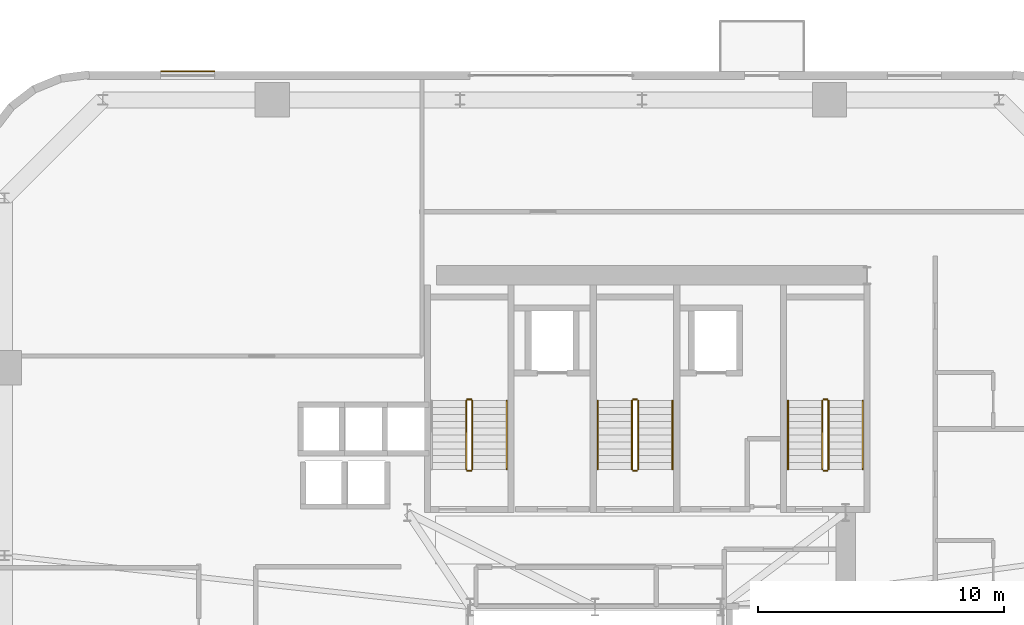
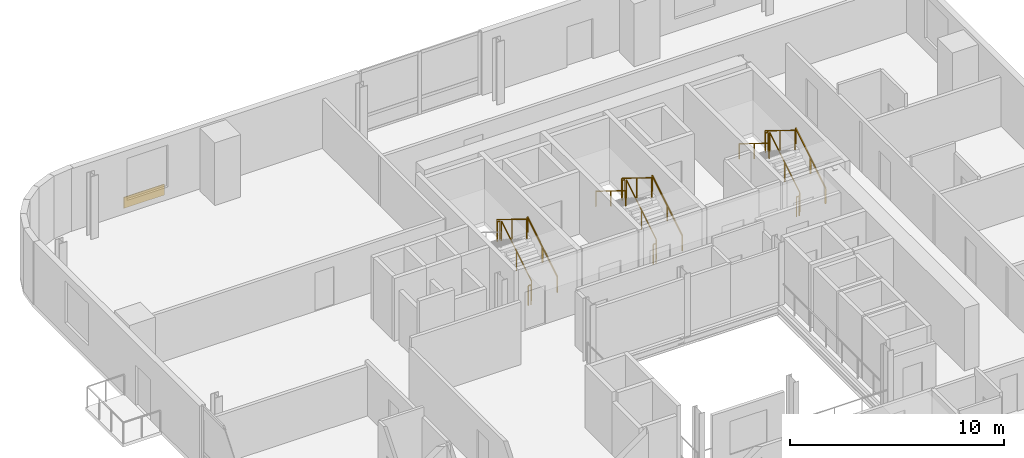
# One storey, part 13 of 14: 17 railings, 1 covering.
"""IFC4 building model written with IfcOpenShell, lengths in metres."""

from ifc_helpers import new_model, si_unit, direction, frame, origin, origin_2d, place, context, subcontext, project, spatial, rectangle, extrude, source, transform, mapped, material, layer, layer_set, type_object, element, save


model = new_model("IFC4")

# Units and contexts
model_context = context("Model", 3, precision=1e-05, world=origin(), true_north=direction((0.0, 1.0)))
body_context = subcontext(model_context, "Body", "Model", "MODEL_VIEW")
ifc_project = project(units=[si_unit("LENGTHUNIT", "METRE"), si_unit("AREAUNIT", "SQUARE_METRE"), si_unit("VOLUMEUNIT", "CUBIC_METRE"), si_unit("PLANEANGLEUNIT", "RADIAN"), si_unit("MASSUNIT", "GRAM", prefix="KILO")], contexts=[model_context])

# Site, building, storey
site_placement = place(None, origin())
site = spatial("IfcSite", under=ifc_project, at=site_placement, CompositionType="ELEMENT")
building_placement = place(site_placement, origin())
building = spatial("IfcBuilding", under=site, at=building_placement, Name="Vardaveli Station Tower", CompositionType="ELEMENT")
storey_placement = place(building_placement, frame((0.0, 0.0, 177.199951171875)))
storey = spatial("IfcBuildingStorey", under=building, at=storey_placement, Name="L45", CompositionType="ELEMENT", Elevation=177.199951171875)

# Covering
ifc_material_1 = material(Name="Ventilated honed travertine stone cladding", Category="masonry")
ifc_layer = layer(ifc_material_1, 0.044921875, Name="Ventilated honed travertine stone cladding")
ifc_layer_set = layer_set([ifc_layer], Name="Ventilated honed travertine stone cladding")
covering_type = type_object("IfcCoveringType", Name="COV-CLAD-TR45", PredefinedType="CLADDING", material=ifc_layer_set)
shared_shape_1 = source(origin(), body_context, "Body", "SweptSolid", [
    extrude(rectangle(XDim=2.199951171875, YDim=0.044921875, at=origin_2d()), origin(), (0.0, 0.0, 1.0), 0.6201171875),
])
covering_placement = place(storey_placement, frame((19.705078125, 48.614501953125, 0.070068359375), z_axis=(0.0, 0.0, 1.0), x_axis=(1.0, 0.0, 0.0)))
element("IfcCovering", 1, at=covering_placement, inside=storey, type_object=covering_type, Name="CLD-TR-L45-N", PredefinedType="CLADDING", context=body_context, shape_type="MappedRepresentation", body=[
    mapped(shared_shape_1, transform((0.0, 0.0, 0.0), scale=1.0)),
])

# Railings
ifc_material_2 = material(Name="Brushed AISI 316 stainless steel", Category="steel")
railing_type_1 = type_object("IfcRailingType", Name="RL-GUARD-1150", PredefinedType="GUARDRAIL", material=ifc_material_2)
shared_shape_2 = source(origin(), body_context, "Body", "SweptSolid", [
    extrude(rectangle(XDim=0.048095703125, YDim=0.048095703125, at=origin_2d()), frame((0.0, 0.0, 1.1259765625), z_axis=(-1.0, 0.0, 0.0), x_axis=(0.0, -1.0, 0.0)), (0.0, 0.0, 1.0), 0.14990234375),
    extrude(rectangle(XDim=0.0419921875, YDim=0.0419921875, at=origin_2d()), origin(), (0.0, 0.0, 1.0), 1.101806640625),
    extrude(rectangle(XDim=0.0419921875, YDim=0.0419921875, at=origin_2d()), frame((-0.14990234375, 0.0, 0.0)), (0.0, 0.0, 1.0), 1.101806640625),
])
for number, where, name in (
    (2, (31.25, 35.25, 1.900146484375), "L45 ST-1 stair guard 2"),
    (3, (31.25, 32.35009765625, 0.0), "L45 ST-1 stair guard 4"),
    (4, (38.0, 35.25, 1.900146484375), "L45 ST-2 stair guard 2"),
    (5, (38.0, 32.35009765625, 0.0), "L45 ST-2 stair guard 4"),
    (6, (45.75, 35.25, 1.900146484375), "L45 ST-3 stair guard 2"),
    (7, (45.75, 32.35009765625, 0.0), "L45 ST-3 stair guard 4"),
):
    element("IfcRailing", number, at=place(storey_placement, frame(where)), inside=storey, type_object=railing_type_1, Name=name, PredefinedType="GUARDRAIL", context=body_context, shape_type="MappedRepresentation", body=[
        mapped(shared_shape_2, transform((0.0, 0.0, 0.0), scale=1.0)),
    ])
shared_shape_3 = source(origin(), body_context, "Body", "SweptSolid", [
    extrude(rectangle(XDim=0.048095703125, YDim=0.048095703125, at=origin_2d()), frame((0.0, 0.0, 1.1259765625), z_axis=(0.0, 0.851089632645, 0.525020415988), x_axis=(-1.0, 0.0, 0.0)), (0.0, 0.0, 1.0), 3.2900390625),
    extrude(rectangle(XDim=0.0419921875, YDim=0.0419921875, at=origin_2d()), origin(), (0.0, 0.0, 1.0), 1.101806640625),
    extrude(rectangle(XDim=0.0419921875, YDim=0.0419921875, at=origin_2d()), frame((0.0, 1.39990234375, 0.86376953125)), (0.0, 0.0, 1.0), 1.101806640625),
    extrude(rectangle(XDim=0.0419921875, YDim=0.0419921875, at=origin_2d()), frame((0.0, 2.800048828125, 1.727294921875)), (0.0, 0.0, 1.0), 1.101806640625),
])
for number, where, name in (
    (8, (31.300048828125, 32.39990234375, 0.1728515625), "L45 ST-1 stair guard 1"),
    (9, (38.050048828125, 32.39990234375, 0.1728515625), "L45 ST-2 stair guard 1"),
    (10, (45.800048828125, 32.39990234375, 0.1728515625), "L45 ST-3 stair guard 1"),
):
    element("IfcRailing", number, at=place(storey_placement, frame(where)), inside=storey, type_object=railing_type_1, Name=name, PredefinedType="GUARDRAIL", context=body_context, shape_type="MappedRepresentation", body=[
        mapped(shared_shape_3, transform((0.0, 0.0, 0.0), scale=1.0)),
    ])
shared_shape_4 = source(origin(), body_context, "Body", "SweptSolid", [
    extrude(rectangle(XDim=0.048095703125, YDim=0.048095703125, at=origin_2d()), frame((0.0, 0.0, 1.1259765625), z_axis=(0.0, -0.851089632645, 0.525020415988), x_axis=(1.0, 0.0, 0.0)), (0.0, 0.0, 1.0), 3.2900390625),
    extrude(rectangle(XDim=0.0419921875, YDim=0.0419921875, at=origin_2d()), origin(), (0.0, 0.0, 1.0), 1.101806640625),
    extrude(rectangle(XDim=0.0419921875, YDim=0.0419921875, at=origin_2d()), frame((0.0, -1.39990234375, 0.86376953125)), (0.0, 0.0, 1.0), 1.101806640625),
    extrude(rectangle(XDim=0.0419921875, YDim=0.0419921875, at=origin_2d()), frame((0.0, -2.800048828125, 1.727294921875)), (0.0, 0.0, 1.0), 1.101806640625),
])
for number, where, name in (
    (11, (31.050048828125, 35.199951171875, 2.07275390625), "L45 ST-1 stair guard 3"),
    (12, (37.800048828125, 35.199951171875, 2.07275390625), "L45 ST-2 stair guard 3"),
    (13, (45.550048828125, 35.199951171875, 2.07275390625), "L45 ST-3 stair guard 3"),
):
    element("IfcRailing", number, at=place(storey_placement, frame(where)), inside=storey, type_object=railing_type_1, Name=name, PredefinedType="GUARDRAIL", context=body_context, shape_type="MappedRepresentation", body=[
        mapped(shared_shape_4, transform((0.0, 0.0, 0.0), scale=1.0)),
    ])
railing_type_2 = type_object("IfcRailingType", Name="RL-HAND-900", PredefinedType="HANDRAIL", material=ifc_material_2)
shared_shape_5 = source(origin(), body_context, "Body", "SweptSolid", [
    extrude(rectangle(XDim=0.048095703125, YDim=0.048095703125, at=origin_2d()), frame((0.0, 0.0, 0.8759765625), z_axis=(0.0, 0.851089632645, 0.525020415988), x_axis=(-1.0, 0.0, 0.0)), (0.0, 0.0, 1.0), 3.2900390625),
    extrude(rectangle(XDim=0.0419921875, YDim=0.0419921875, at=origin_2d()), origin(), (0.0, 0.0, 1.0), 0.851806640625),
    extrude(rectangle(XDim=0.0419921875, YDim=0.0419921875, at=origin_2d()), frame((0.0, 1.39990234375, 0.86376953125)), (0.0, 0.0, 1.0), 0.851806640625),
    extrude(rectangle(XDim=0.0419921875, YDim=0.0419921875, at=origin_2d()), frame((0.0, 2.800048828125, 1.727294921875)), (0.0, 0.0, 1.0), 0.851806640625),
])
for number, where, name in (
    (14, (32.699951171875, 32.39990234375, 0.1728515625), "L45 ST-1 stair handrail 1"),
    (15, (39.449951171875, 32.39990234375, 0.1728515625), "L45 ST-2 stair handrail 1"),
    (16, (47.199951171875, 32.39990234375, 0.1728515625), "L45 ST-3 stair handrail 1"),
):
    element("IfcRailing", number, at=place(storey_placement, frame(where)), inside=storey, type_object=railing_type_2, Name=name, PredefinedType="HANDRAIL", context=body_context, shape_type="MappedRepresentation", body=[
        mapped(shared_shape_5, transform((0.0, 0.0, 0.0), scale=1.0)),
    ])
shared_shape_6 = source(origin(), body_context, "Body", "SweptSolid", [
    extrude(rectangle(XDim=0.048095703125, YDim=0.048095703125, at=origin_2d()), frame((0.0, 0.0, 0.8759765625), z_axis=(0.0, -0.851089632645, 0.525020415988), x_axis=(1.0, 0.0, 0.0)), (0.0, 0.0, 1.0), 3.2900390625),
    extrude(rectangle(XDim=0.0419921875, YDim=0.0419921875, at=origin_2d()), origin(), (0.0, 0.0, 1.0), 0.851806640625),
    extrude(rectangle(XDim=0.0419921875, YDim=0.0419921875, at=origin_2d()), frame((0.0, -1.39990234375, 0.86376953125)), (0.0, 0.0, 1.0), 0.851806640625),
    extrude(rectangle(XDim=0.0419921875, YDim=0.0419921875, at=origin_2d()), frame((0.0, -2.800048828125, 1.727294921875)), (0.0, 0.0, 1.0), 0.851806640625),
])
for number, where, name in (
    (17, (36.39990234375, 35.199951171875, 2.07275390625), "L45 ST-2 stair handrail 2"),
    (18, (44.14990234375, 35.199951171875, 2.07275390625), "L45 ST-3 stair handrail 2"),
):
    element("IfcRailing", number, at=place(storey_placement, frame(where)), inside=storey, type_object=railing_type_2, Name=name, PredefinedType="HANDRAIL", context=body_context, shape_type="MappedRepresentation", body=[
        mapped(shared_shape_6, transform((0.0, 0.0, 0.0), scale=1.0)),
    ])

save(model, "model.ifc")
